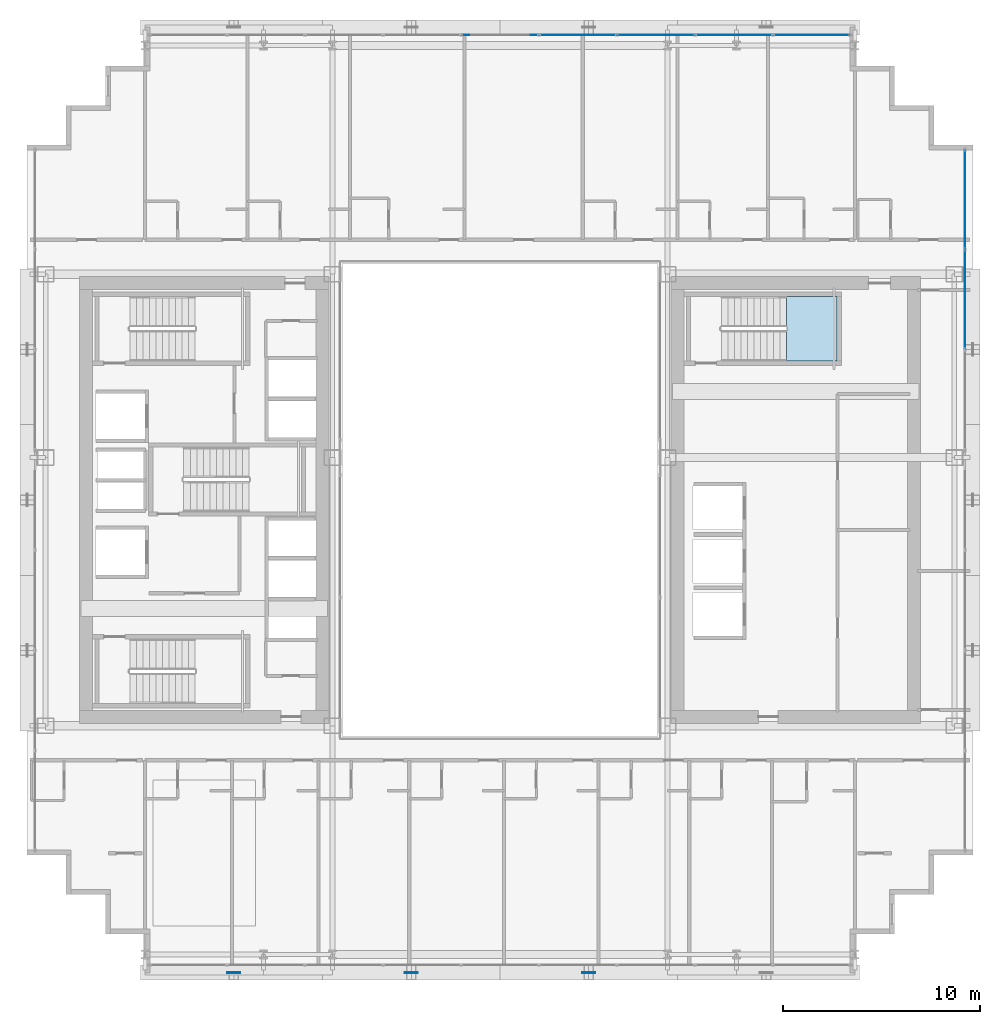
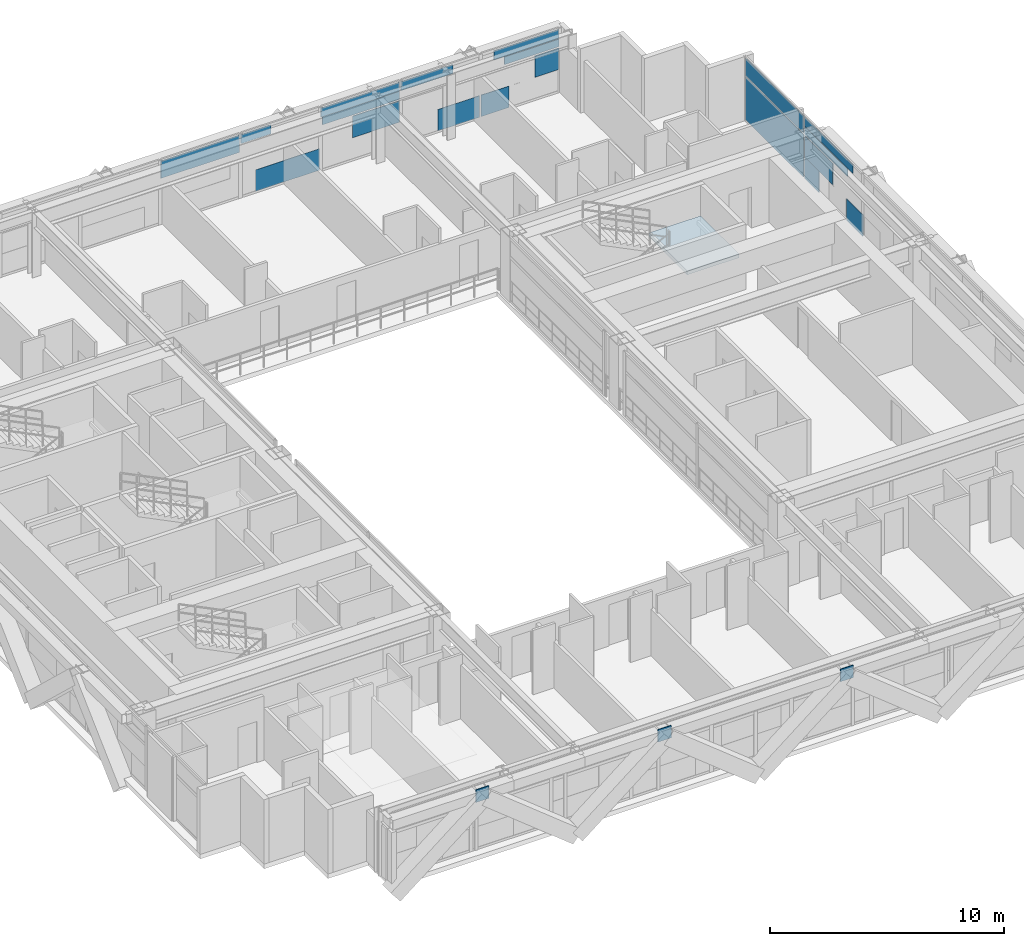
# One storey, part 28 of 39: 22 plates, 1 slab, 3 elements without a shape of their own.
"""IFC4 building model written with IfcOpenShell, lengths in metres."""

from ifc_helpers import new_model, si_unit, direction, frame, origin, origin_2d, place, context, subcontext, project, spatial, polyline, rectangle, outline, extrude, source, transform, mapped, material, layer, layer_set, type_object, element, aggregate, save


model = new_model("IFC4")

# Units and contexts
model_context = context("Model", 3, precision=1e-05, world=origin(), true_north=direction((0.0, 1.0)))
body_context = subcontext(model_context, "Body", "Model", "MODEL_VIEW")
ifc_project = project(units=[si_unit("LENGTHUNIT", "METRE"), si_unit("AREAUNIT", "SQUARE_METRE"), si_unit("VOLUMEUNIT", "CUBIC_METRE"), si_unit("PLANEANGLEUNIT", "RADIAN"), si_unit("MASSUNIT", "GRAM", prefix="KILO")], contexts=[model_context])

# Site, building, storey
site_placement = place(None, origin())
site = spatial("IfcSite", under=ifc_project, at=site_placement, CompositionType="ELEMENT")
building_placement = place(site_placement, origin())
building = spatial("IfcBuilding", under=site, at=building_placement, Name="Ocotamira Hotel", CompositionType="ELEMENT")
storey_placement = place(building_placement, frame((0.0, 0.0, 104.39990234375)))
storey = spatial("IfcBuildingStorey", under=building, at=storey_placement, Name="L25", CompositionType="ELEMENT", Elevation=104.39990234375)

# Stair, slab
ifc_material_1 = material(Name="Concrete C40/50", Category="concrete")
stair_type = type_object("IfcStairType", Name="ST-CORE-1560", PredefinedType="HALF_TURN_STAIR", material=ifc_material_1)
stair_placement = place(storey_placement, origin())
stair = element("IfcStair", 1, at=stair_placement, inside=storey, type_object=stair_type, Name="L25 Exit Stair ST-4", PredefinedType="HALF_TURN_STAIR")
ifc_layer_1 = layer(ifc_material_1, 0.199951171875)
ifc_layer_set_1 = layer_set([ifc_layer_1], Name="Concrete C40/50")
slab_type = type_object("IfcSlabType", Name="SLB-LAND-200", PredefinedType="LANDING", material=ifc_layer_set_1)
slab_placement = place(storey_placement, frame((0.0, 0.0, 1.60009765625)))
slab = element("IfcSlab", 2, at=slab_placement, type_object=slab_type, Name="ST-4 landing 1", PredefinedType="LANDING", context=body_context, shape_type="SweptSolid", body=[
    extrude(outline(polyline([(46.530029296875, 33.050048828125), (49.090087890625, 33.050048828125), (49.090087890625, 36.330078125), (46.530029296875, 36.330078125), (46.530029296875, 33.050048828125)])), origin(), (0.0, 0.0, 1.0), 0.199951171875),
])
aggregate(stair, [slab])

# Plates
ifc_material_2 = material(Name="Pale-metal coated steel ASTM A572 Grade 50", Category="steel")
ifc_layer_2 = layer(ifc_material_2, 0.0400390625)
ifc_layer_set_2 = layer_set([ifc_layer_2], Name="Pale-metal coated steel ASTM A572 Grade 50")
plate_type_1 = type_object("IfcPlateType", Name="PLT-GUSSET-40", PredefinedType="SHEET", material=ifc_layer_set_2)
shared_shape_1 = source(origin(), body_context, "Body", "SweptSolid", [
    extrude(rectangle(XDim=0.64990234375, YDim=0.0400390625, at=origin_2d()), origin(), (0.0, 0.0, 1.0), 0.64990234375),
])
for number, where, z_axis, x_axis, name in (
    (3, (18.5, 2.030029296875, 2.78515625), (0.0, 0.0, 1.0), (1.0, 0.0, 0.0), "L25 Exoskeleton Diagrid S0.1 End Gusset B"),
    (4, (27.5, 2.030029296875, 2.78515625), (0.0, 0.0, 1.0), (1.0, 0.0, 0.0), "L25 Exoskeleton Diagrid S1.1 End Gusset B"),
    (5, (36.5, 2.030029296875, 2.78515625), (0.0, 0.0, 1.0), (1.0, 0.0, 0.0), "L25 Exoskeleton Diagrid S2.1 End Gusset B"),
):
    element("IfcPlate", number, at=place(storey_placement, frame(where, z_axis=z_axis, x_axis=x_axis)), inside=storey, type_object=plate_type_1, Name=name, PredefinedType="SHEET", context=body_context, shape_type="MappedRepresentation", body=[
        mapped(shared_shape_1, transform((0.0, 0.0, 0.0), scale=1.0)),
    ])

# Curtain wall, plate
ifc_material_3 = material(Name="Anodised pale-metal aluminium and solar glass", Category="aluminium")
ifc_layer_3 = layer(ifc_material_3, 0.179931640625)
ifc_layer_set_3 = layer_set([ifc_layer_3], Name="Anodised pale-metal aluminium and solar glass")
curtain_wall_type = type_object("IfcCurtainWallType", Name="CW-SYS3-Z2", PredefinedType="NOTDEFINED", material=ifc_layer_set_3)
curtain_wall_1_placement = place(storey_placement, origin())
curtain_wall_1 = element("IfcCurtainWall", 6, at=curtain_wall_1_placement, inside=storey, type_object=curtain_wall_type, Name="L25 Curtain Wall CW-3 CW-L25-E", PredefinedType="NOTDEFINED")
ifc_material_4 = material(Name="Double-silver low-E insulated solar glass", Category="glass")
ifc_layer_4 = layer(ifc_material_4, 0.031982421875)
ifc_layer_set_4 = layer_set([ifc_layer_4], Name="Double-silver low-E insulated solar glass")
plate_type_2 = type_object("IfcPlateType", Name="CWP-VISION-32", PredefinedType="CURTAIN_PANEL", material=ifc_layer_set_4)
shared_shape_2 = source(origin(), body_context, "Body", "SweptSolid", [
    extrude(rectangle(XDim=4.9658203125, YDim=0.031982421875, at=origin_2d()), origin(), (0.0, 0.0, 1.0), 2.237548828125),
])
plate_1_placement = place(storey_placement, frame((55.580078125, 41.237060546875, 0.0751953125), z_axis=(0.0, 0.0, 1.0), x_axis=(0.0, 1.0, 0.0)))
plate_1 = element("IfcPlate", 7, at=plate_1_placement, type_object=plate_type_2, Name="CW-3 panel 7.1", PredefinedType="CURTAIN_PANEL", context=body_context, shape_type="MappedRepresentation", body=[
    mapped(shared_shape_2, transform((0.0, 0.0, 0.0), scale=1.0)),
])

# Curtain wall, plates
curtain_wall_2_placement = place(storey_placement, origin())
curtain_wall_2 = element("IfcCurtainWall", 8, at=curtain_wall_2_placement, inside=storey, type_object=curtain_wall_type, Name="L25 Curtain Wall CW-3 CW-L25-N", PredefinedType="NOTDEFINED")
shared_shape_3 = source(origin(), body_context, "Body", "SweptSolid", [
    extrude(rectangle(XDim=1.184326171875, YDim=0.031982421875, at=origin_2d()), origin(), (0.0, 0.0, 1.0), 1.118896484375),
])
plate_2_placement = place(storey_placement, frame((49.127685546875, 49.580078125, 1.19384765625), z_axis=(0.0, 0.0, 1.0), x_axis=(1.0, 0.0, 0.0)))
plate_2 = element("IfcPlate", 9, at=plate_2_placement, type_object=plate_type_2, Name="CW-3 panel 9.1.2", PredefinedType="CURTAIN_PANEL", context=body_context, shape_type="MappedRepresentation", body=[
    mapped(shared_shape_3, transform((0.0, 0.0, 0.0), scale=1.0)),
])
shared_shape_4 = source(origin(), body_context, "Body", "SweptSolid", [
    extrude(rectangle(XDim=2.676513671875, YDim=0.031982421875, at=origin_2d()), origin(), (0.0, 0.0, 1.0), 0.39453125),
])
plate_3_placement = place(storey_placement, frame((48.381591796875, 49.580078125, 2.3876953125), z_axis=(0.0, 0.0, 1.0), x_axis=(1.0, 0.0, 0.0)))
plate_3 = element("IfcPlate", 10, at=plate_3_placement, type_object=plate_type_2, Name="CW-3 panel 9.2.2", PredefinedType="CURTAIN_PANEL", context=body_context, shape_type="MappedRepresentation", body=[
    mapped(shared_shape_4, transform((0.0, 0.0, 0.0), scale=1.0)),
])
shared_shape_5 = source(origin(), body_context, "Body", "SweptSolid", [
    extrude(rectangle(XDim=3.208740234375, YDim=0.031982421875, at=origin_2d()), origin(), (0.0, 0.0, 1.0), 0.4716796875),
])
plate_4_placement = place(storey_placement, frame((48.115478515625, 49.580078125, 2.8134765625), z_axis=(0.0, 0.0, 1.0), x_axis=(1.0, 0.0, 0.0)))
plate_4 = element("IfcPlate", 11, at=plate_4_placement, type_object=plate_type_2, Name="CW-3 panel 9.2.1", PredefinedType="CURTAIN_PANEL", context=body_context, shape_type="MappedRepresentation", body=[
    mapped(shared_shape_5, transform((0.0, 0.0, 0.0), scale=1.0)),
])
shared_shape_6 = source(origin(), body_context, "Body", "SweptSolid", [
    extrude(rectangle(XDim=2.559814453125, YDim=0.031982421875, at=origin_2d()), origin(), (0.0, 0.0, 1.0), 0.4716796875),
])
plate_5_placement = place(storey_placement, frame((43.208740234375, 49.580078125, 2.8134765625), z_axis=(0.0, 0.0, 1.0), x_axis=(1.0, 0.0, 0.0)))
plate_5 = element("IfcPlate", 12, at=plate_5_placement, type_object=plate_type_2, Name="CW-3 panel 8.2.1", PredefinedType="CURTAIN_PANEL", context=body_context, shape_type="MappedRepresentation", body=[
    mapped(shared_shape_6, transform((0.0, 0.0, 0.0), scale=1.0)),
])
shared_shape_7 = source(origin(), body_context, "Body", "SweptSolid", [
    extrude(rectangle(XDim=2.313232421875, YDim=0.031982421875, at=origin_2d()), origin(), (0.0, 0.0, 1.0), 1.118896484375),
])
plate_6_placement = place(storey_placement, frame((40.6923828125, 49.580078125, 1.19384765625), z_axis=(0.0, 0.0, 1.0), x_axis=(1.0, 0.0, 0.0)))
plate_6 = element("IfcPlate", 13, at=plate_6_placement, type_object=plate_type_2, Name="CW-3 panel 7.1.1", PredefinedType="CURTAIN_PANEL", context=body_context, shape_type="MappedRepresentation", body=[
    mapped(shared_shape_7, transform((0.0, 0.0, 0.0), scale=1.0)),
])
shared_shape_8 = source(origin(), body_context, "Body", "SweptSolid", [
    extrude(rectangle(XDim=3.805419921875, YDim=0.031982421875, at=origin_2d()), origin(), (0.0, 0.0, 1.0), 0.42578125),
])
plate_7_placement = place(storey_placement, frame((39.9462890625, 49.580078125, 2.3876953125), z_axis=(0.0, 0.0, 1.0), x_axis=(1.0, 0.0, 0.0)))
plate_7 = element("IfcPlate", 14, at=plate_7_placement, type_object=plate_type_2, Name="CW-3 panel 7.2.2", PredefinedType="CURTAIN_PANEL", context=body_context, shape_type="MappedRepresentation", body=[
    mapped(shared_shape_8, transform((0.0, 0.0, 0.0), scale=1.0)),
])
shared_shape_9 = source(origin(), body_context, "Body", "SweptSolid", [
    extrude(rectangle(XDim=3.87548828125, YDim=0.031982421875, at=origin_2d()), origin(), (0.0, 0.0, 1.0), 0.4716796875),
])
plate_8_placement = place(storey_placement, frame((39.9111328125, 49.580078125, 2.8134765625), z_axis=(0.0, 0.0, 1.0), x_axis=(1.0, 0.0, 0.0)))
plate_8 = element("IfcPlate", 15, at=plate_8_placement, type_object=plate_type_2, Name="CW-3 panel 7.2.1", PredefinedType="CURTAIN_PANEL", context=body_context, shape_type="MappedRepresentation", body=[
    mapped(shared_shape_9, transform((0.0, 0.0, 0.0), scale=1.0)),
])
shared_shape_10 = source(origin(), body_context, "Body", "SweptSolid", [
    extrude(rectangle(XDim=1.470947265625, YDim=0.031982421875, at=origin_2d()), origin(), (0.0, 0.0, 1.0), 0.4716796875),
])
plate_9_placement = place(storey_placement, frame((34.75341796875, 49.580078125, 2.8134765625), z_axis=(0.0, 0.0, 1.0), x_axis=(1.0, 0.0, 0.0)))
plate_9 = element("IfcPlate", 16, at=plate_9_placement, type_object=plate_type_2, Name="CW-3 panel 6.2.1", PredefinedType="CURTAIN_PANEL", context=body_context, shape_type="MappedRepresentation", body=[
    mapped(shared_shape_10, transform((0.0, 0.0, 0.0), scale=1.0)),
])
shared_shape_11 = source(origin(), body_context, "Body", "SweptSolid", [
    extrude(rectangle(XDim=3.87548828125, YDim=0.031982421875, at=origin_2d()), origin(), (0.0, 0.0, 1.0), 0.8974609375),
])
plate_10_placement = place(storey_placement, frame((32.0, 49.580078125, 2.3876953125), z_axis=(0.0, 0.0, 1.0), x_axis=(1.0, 0.0, 0.0)))
plate_10 = element("IfcPlate", 17, at=plate_10_placement, type_object=plate_type_2, Name="CW-3 panel 5.2", PredefinedType="CURTAIN_PANEL", context=body_context, shape_type="MappedRepresentation", body=[
    mapped(shared_shape_11, transform((0.0, 0.0, 0.0), scale=1.0)),
])

# Plate
shared_shape_12 = source(origin(), body_context, "Body", "SweptSolid", [
    extrude(rectangle(XDim=4.9658203125, YDim=0.031982421875, at=origin_2d()), origin(), (0.0, 0.0, 1.0), 0.8974609375),
])
plate_11_placement = place(storey_placement, frame((55.580078125, 41.237060546875, 2.3876953125), z_axis=(0.0, 0.0, 1.0), x_axis=(0.0, 1.0, 0.0)))
plate_11 = element("IfcPlate", 18, at=plate_11_placement, type_object=plate_type_2, Name="CW-3 panel 7.2", PredefinedType="CURTAIN_PANEL", context=body_context, shape_type="MappedRepresentation", body=[
    mapped(shared_shape_12, transform((0.0, 0.0, 0.0), scale=1.0)),
])

shared_shape_13 = source(origin(), body_context, "Body", "SweptSolid", [
    extrude(rectangle(XDim=2.426513671875, YDim=0.031982421875, at=origin_2d()), origin(), (0.0, 0.0, 1.0), 1.118896484375),
])
plate_12_placement = place(storey_placement, frame((55.580078125, 37.461181640625, 1.19384765625), z_axis=(0.0, 0.0, 1.0), x_axis=(0.0, 1.0, 0.0)))
plate_12 = element("IfcPlate", 19, at=plate_12_placement, type_object=plate_type_2, Name="CW-3 panel 6.1.2", PredefinedType="CURTAIN_PANEL", context=body_context, shape_type="MappedRepresentation", body=[
    mapped(shared_shape_13, transform((0.0, 0.0, 0.0), scale=1.0)),
])

shared_shape_14 = source(origin(), body_context, "Body", "SweptSolid", [
    extrude(rectangle(XDim=3.69189453125, YDim=0.031982421875, at=origin_2d()), origin(), (0.0, 0.0, 1.0), 0.414306640625),
])
plate_13_placement = place(storey_placement, frame((55.580078125, 36.828369140625, 2.3876953125), z_axis=(0.0, 0.0, 1.0), x_axis=(0.0, 1.0, 0.0)))
plate_13 = element("IfcPlate", 20, at=plate_13_placement, type_object=plate_type_2, Name="CW-3 panel 6.2.2", PredefinedType="CURTAIN_PANEL", context=body_context, shape_type="MappedRepresentation", body=[
    mapped(shared_shape_14, transform((0.0, 0.0, 0.0), scale=1.0)),
])

shared_shape_15 = source(origin(), body_context, "Body", "SweptSolid", [
    extrude(rectangle(XDim=4.16748046875, YDim=0.031982421875, at=origin_2d()), origin(), (0.0, 0.0, 1.0), 0.44873046875),
])
plate_14_placement = place(storey_placement, frame((55.580078125, 36.590576171875, 2.83642578125), z_axis=(0.0, 0.0, 1.0), x_axis=(0.0, 1.0, 0.0)))
plate_14 = element("IfcPlate", 21, at=plate_14_placement, type_object=plate_type_2, Name="CW-3 panel 6.2.1", PredefinedType="CURTAIN_PANEL", context=body_context, shape_type="MappedRepresentation", body=[
    mapped(shared_shape_15, transform((0.0, 0.0, 0.0), scale=1.0)),
])

shared_shape_16 = source(origin(), body_context, "Body", "SweptSolid", [
    extrude(rectangle(XDim=1.37060546875, YDim=0.031982421875, at=origin_2d()), origin(), (0.0, 0.0, 1.0), 1.118896484375),
])
plate_15_placement = place(storey_placement, frame((46.569580078125, 49.580078125, 0.0751953125), z_axis=(0.0, 0.0, 1.0), x_axis=(1.0, 0.0, 0.0)))
plate_15 = element("IfcPlate", 22, at=plate_15_placement, type_object=plate_type_2, Name="CW-3 panel 9.1.1", PredefinedType="CURTAIN_PANEL", context=body_context, shape_type="MappedRepresentation", body=[
    mapped(shared_shape_16, transform((0.0, 0.0, 0.0), scale=1.0)),
])

shared_shape_17 = source(origin(), body_context, "Body", "SweptSolid", [
    extrude(rectangle(XDim=2.059326171875, YDim=0.031982421875, at=origin_2d()), origin(), (0.0, 0.0, 1.0), 1.118896484375),
])
plate_16_placement = place(storey_placement, frame((44.774658203125, 49.580078125, 0.0751953125), z_axis=(0.0, 0.0, 1.0), x_axis=(1.0, 0.0, 0.0)))
plate_16 = element("IfcPlate", 23, at=plate_16_placement, type_object=plate_type_2, Name="CW-3 panel 8.1.1", PredefinedType="CURTAIN_PANEL", context=body_context, shape_type="MappedRepresentation", body=[
    mapped(shared_shape_17, transform((0.0, 0.0, 0.0), scale=1.0)),
])

shared_shape_18 = source(origin(), body_context, "Body", "SweptSolid", [
    extrude(rectangle(XDim=3.148193359375, YDim=0.031982421875, at=origin_2d()), origin(), (0.0, 0.0, 1.0), 1.118896484375),
])
plate_17_placement = place(storey_placement, frame((36.319091796875, 49.580078125, 0.0751953125), z_axis=(0.0, 0.0, 1.0), x_axis=(1.0, 0.0, 0.0)))
plate_17 = element("IfcPlate", 24, at=plate_17_placement, type_object=plate_type_2, Name="CW-3 panel 6.1.1", PredefinedType="CURTAIN_PANEL", context=body_context, shape_type="MappedRepresentation", body=[
    mapped(shared_shape_18, transform((0.0, 0.0, 0.0), scale=1.0)),
])

aggregate(curtain_wall_2, [plate_10, plate_17, plate_9, plate_6, plate_8, plate_7, plate_16, plate_5, plate_15, plate_2, plate_4, plate_3])

shared_shape_19 = source(origin(), body_context, "Body", "SweptSolid", [
    extrude(rectangle(XDim=1.240234375, YDim=0.031982421875, at=origin_2d()), origin(), (0.0, 0.0, 1.0), 1.118896484375),
])
plate_18_placement = place(storey_placement, frame((55.580078125, 38.05419921875, 0.0751953125), z_axis=(0.0, 0.0, 1.0), x_axis=(0.0, 1.0, 0.0)))
plate_18 = element("IfcPlate", 25, at=plate_18_placement, type_object=plate_type_2, Name="CW-3 panel 6.1.3", PredefinedType="CURTAIN_PANEL", context=body_context, shape_type="MappedRepresentation", body=[
    mapped(shared_shape_19, transform((0.0, 0.0, 0.0), scale=1.0)),
])

shared_shape_20 = source(origin(), body_context, "Body", "SweptSolid", [
    extrude(rectangle(XDim=1.413330078125, YDim=0.031982421875, at=origin_2d()), origin(), (0.0, 0.0, 1.0), 1.118896484375),
])
plate_19_placement = place(storey_placement, frame((55.580078125, 34.375244140625, 0.0751953125), z_axis=(0.0, 0.0, 1.0), x_axis=(0.0, 1.0, 0.0)))
plate_19 = element("IfcPlate", 26, at=plate_19_placement, type_object=plate_type_2, Name="CW-3 panel 6.1.1", PredefinedType="CURTAIN_PANEL", context=body_context, shape_type="MappedRepresentation", body=[
    mapped(shared_shape_20, transform((0.0, 0.0, 0.0), scale=1.0)),
])

aggregate(curtain_wall_1, [plate_19, plate_12, plate_18, plate_14, plate_13, plate_1, plate_11])

save(model, "model.ifc")
